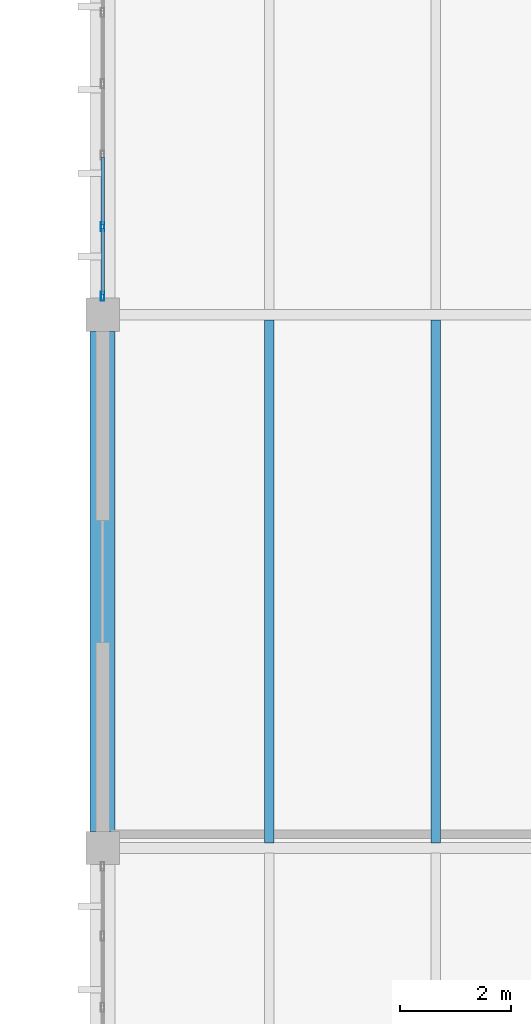
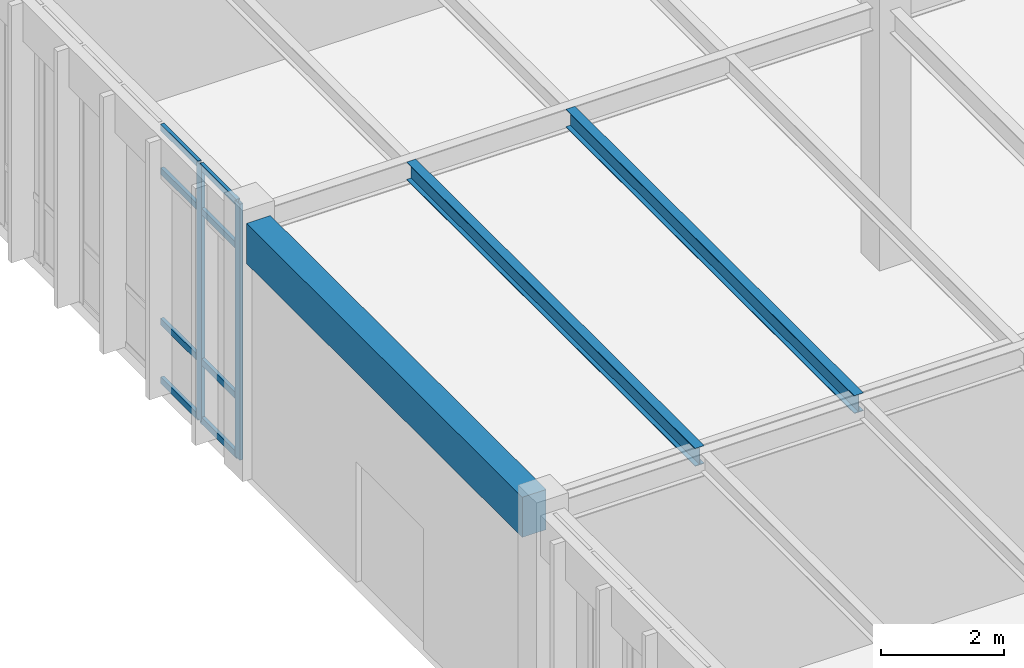
# One storey, part 92 of 188: 10 members, 3 beams, 1 element without a shape of its own.
"""IFC4 building model written with IfcOpenShell, lengths in metres."""

from ifc_helpers import new_model, si_unit, direction, frame, origin, origin_2d, place, context, subcontext, project, spatial, rectangle, hollow_rectangle, i_section, extrude, material, layer, layer_set, material_profile, profile_set, type_object, element, aggregate, save


model = new_model("IFC4")

# Units and contexts
model_context = context("Model", 3, precision=1e-05, world=origin(), true_north=direction((0.0, 1.0)))
body_context = subcontext(model_context, "Body", "Model", "MODEL_VIEW")
ifc_project = project(units=[si_unit("LENGTHUNIT", "METRE"), si_unit("AREAUNIT", "SQUARE_METRE"), si_unit("VOLUMEUNIT", "CUBIC_METRE"), si_unit("PLANEANGLEUNIT", "RADIAN"), si_unit("MASSUNIT", "GRAM", prefix="KILO")], contexts=[model_context])

# Site, building, storey
site_placement = place(None, origin())
site = spatial("IfcSite", under=ifc_project, at=site_placement, CompositionType="ELEMENT")
building_placement = place(site_placement, origin())
building = spatial("IfcBuilding", under=site, at=building_placement, Name="Pandanus Reach Market Hall", CompositionType="ELEMENT")
storey_placement = place(building_placement, origin())
storey = spatial("IfcBuildingStorey", under=building, at=storey_placement, Name="L00", CompositionType="ELEMENT", Elevation=0.0)

# Beam
ifc_material_1 = material(Name="Concrete N40 (40 MPa)", Category="concrete")
ifc_material_profile_1 = material_profile(ifc_material_1, rectangle(XDim=0.449951171875, YDim=0.800048828125, at=origin_2d()), Name="RC450x800", Category="LoadBearing")
ifc_profile_set_1 = profile_set([ifc_material_profile_1], Name="Concrete N40 (40 MPa)")
beam_type_1 = type_object("IfcBeamType", Name="BM-RC450-E", PredefinedType="SPANDREL", material=ifc_profile_set_1)
beam_placement = place(storey_placement, frame((144.0, 19.498046875, 4.72509765625), z_axis=(0.0, 1.0, 0.0), x_axis=(-1.0, 0.0, 0.0)))
element("IfcBeam", 1, at=beam_placement, inside=storey, type_object=beam_type_1, Name="Framing beam BM-RC450-E L00.190", PredefinedType="SPANDREL", context=body_context, shape_type="SweptSolid", body=[
    extrude(rectangle(XDim=0.449951171875, YDim=0.800048828125, at=origin_2d()), origin(), (0.0, 0.0, 1.0), 9.00390625),
])

# Curtain wall, members
ifc_material_2 = material(Name="Bronze anodised aluminium and low-E glass", Category="aluminium")
ifc_layer = layer(ifc_material_2, 0.159912109375, Name="CW-26")
ifc_layer_set = layer_set([ifc_layer], Name="Bronze anodised aluminium and low-E glass")
curtain_wall_type = type_object("IfcCurtainWallType", Name="CW-26", PredefinedType="NOTDEFINED", material=ifc_layer_set)
curtain_wall_placement = place(storey_placement, origin())
curtain_wall = element("IfcCurtainWall", 2, at=curtain_wall_placement, inside=storey, type_object=curtain_wall_type, Name="Glazed curtain wall CW-26 CW-0077", PredefinedType="NOTDEFINED")
ifc_material_3 = material(Name="Bronze anodised aluminium", Category="aluminium")
ifc_material_profile_2 = material_profile(ifc_material_3, hollow_rectangle(XDim=0.06494140625, YDim=0.159912109375, WallThickness=0.00390625, at=origin_2d()), Name="ALU65x160", Category="LoadBearing")
ifc_profile_set_2 = profile_set([ifc_material_profile_2], Name="Bronze anodised aluminium")
member_type_1 = type_object("IfcMemberType", Name="CW-M1", PredefinedType="MULLION", material=ifc_profile_set_2)
member_1_placement = place(storey_placement, frame((144.0, 29.132568359375, 0.0), z_axis=(0.0, 0.0, 1.0), x_axis=(-1.0, 0.0, 0.0)))
member_1 = element("IfcMember", 3, at=member_1_placement, type_object=member_type_1, Name="CW-26 mullion 1", PredefinedType="MULLION", context=body_context, shape_type="SweptSolid", body=[
    extrude(hollow_rectangle(XDim=0.06494140625, YDim=0.159912109375, WallThickness=0.00390625, at=origin_2d()), origin(), (0.0, 0.0, 1.0), 5.10009765625),
])
member_2_placement = place(storey_placement, frame((144.0, 30.3857421875, 0.0), z_axis=(0.0, 0.0, 1.0), x_axis=(-1.0, 0.0, 0.0)))
member_2 = element("IfcMember", 4, at=member_2_placement, type_object=member_type_1, Name="CW-26 mullion 2", PredefinedType="MULLION", context=body_context, shape_type="SweptSolid", body=[
    extrude(hollow_rectangle(XDim=0.06494140625, YDim=0.159912109375, WallThickness=0.00390625, at=origin_2d()), origin(), (0.0, 0.0, 1.0), 5.10009765625),
])
ifc_material_profile_3 = material_profile(ifc_material_3, hollow_rectangle(XDim=0.06494140625, YDim=0.1298828125, WallThickness=0.00390625, at=origin_2d()), Name="ALU65x130", Category="LoadBearing")
ifc_profile_set_3 = profile_set([ifc_material_profile_3], Name="Bronze anodised aluminium")
member_type_2 = type_object("IfcMemberType", Name="CW-T1", PredefinedType="USERDEFINED", material=ifc_profile_set_3)
member_3_placement = place(storey_placement, frame((144.0, 29.1650390625, 0.032470703125), z_axis=(0.0, 1.0, 0.0), x_axis=(-1.0, 0.0, 0.0)))
member_3 = element("IfcMember", 5, at=member_3_placement, type_object=member_type_2, Name="CW-26 transom 1.1", ObjectType="TRANSOM", PredefinedType="USERDEFINED", context=body_context, shape_type="SweptSolid", body=[
    extrude(hollow_rectangle(XDim=0.06494140625, YDim=0.1298828125, WallThickness=0.00390625, at=origin_2d()), origin(), (0.0, 0.0, 1.0), 1.188232421875),
])
member_4_placement = place(storey_placement, frame((144.0, 29.1650390625, 1.199951171875), z_axis=(0.0, 1.0, 0.0), x_axis=(-1.0, 0.0, 0.0)))
member_4 = element("IfcMember", 6, at=member_4_placement, type_object=member_type_2, Name="CW-26 transom 1.2", ObjectType="TRANSOM", PredefinedType="USERDEFINED", context=body_context, shape_type="SweptSolid", body=[
    extrude(hollow_rectangle(XDim=0.06494140625, YDim=0.1298828125, WallThickness=0.00390625, at=origin_2d()), origin(), (0.0, 0.0, 1.0), 1.188232421875),
])
member_5_placement = place(storey_placement, frame((144.0, 29.1650390625, 4.199951171875), z_axis=(0.0, 1.0, 0.0), x_axis=(-1.0, 0.0, 0.0)))
member_5 = element("IfcMember", 7, at=member_5_placement, type_object=member_type_2, Name="CW-26 transom 1.3", ObjectType="TRANSOM", PredefinedType="USERDEFINED", context=body_context, shape_type="SweptSolid", body=[
    extrude(hollow_rectangle(XDim=0.06494140625, YDim=0.1298828125, WallThickness=0.00390625, at=origin_2d()), origin(), (0.0, 0.0, 1.0), 1.188232421875),
])
member_6_placement = place(storey_placement, frame((144.0, 29.1650390625, 5.0673828125), z_axis=(0.0, 1.0, 0.0), x_axis=(-1.0, 0.0, 0.0)))
member_6 = element("IfcMember", 8, at=member_6_placement, type_object=member_type_2, Name="CW-26 transom 1.4", ObjectType="TRANSOM", PredefinedType="USERDEFINED", context=body_context, shape_type="SweptSolid", body=[
    extrude(hollow_rectangle(XDim=0.06494140625, YDim=0.1298828125, WallThickness=0.00390625, at=origin_2d()), origin(), (0.0, 0.0, 1.0), 1.188232421875),
])
member_7_placement = place(storey_placement, frame((144.0, 30.418212890625, 0.032470703125), z_axis=(0.0, 1.0, 0.0), x_axis=(-1.0, 0.0, 0.0)))
member_7 = element("IfcMember", 9, at=member_7_placement, type_object=member_type_2, Name="CW-26 transom 2.1", ObjectType="TRANSOM", PredefinedType="USERDEFINED", context=body_context, shape_type="SweptSolid", body=[
    extrude(hollow_rectangle(XDim=0.06494140625, YDim=0.1298828125, WallThickness=0.00390625, at=origin_2d()), origin(), (0.0, 0.0, 1.0), 1.220703125),
])
member_8_placement = place(storey_placement, frame((144.0, 30.418212890625, 1.199951171875), z_axis=(0.0, 1.0, 0.0), x_axis=(-1.0, 0.0, 0.0)))
member_8 = element("IfcMember", 10, at=member_8_placement, type_object=member_type_2, Name="CW-26 transom 2.2", ObjectType="TRANSOM", PredefinedType="USERDEFINED", context=body_context, shape_type="SweptSolid", body=[
    extrude(hollow_rectangle(XDim=0.06494140625, YDim=0.1298828125, WallThickness=0.00390625, at=origin_2d()), origin(), (0.0, 0.0, 1.0), 1.220703125),
])
member_9_placement = place(storey_placement, frame((144.0, 30.418212890625, 4.199951171875), z_axis=(0.0, 1.0, 0.0), x_axis=(-1.0, 0.0, 0.0)))
member_9 = element("IfcMember", 11, at=member_9_placement, type_object=member_type_2, Name="CW-26 transom 2.3", ObjectType="TRANSOM", PredefinedType="USERDEFINED", context=body_context, shape_type="SweptSolid", body=[
    extrude(hollow_rectangle(XDim=0.06494140625, YDim=0.1298828125, WallThickness=0.00390625, at=origin_2d()), origin(), (0.0, 0.0, 1.0), 1.220703125),
])
member_10_placement = place(storey_placement, frame((144.0, 30.418212890625, 5.0673828125), z_axis=(0.0, 1.0, 0.0), x_axis=(-1.0, 0.0, 0.0)))
member_10 = element("IfcMember", 12, at=member_10_placement, type_object=member_type_2, Name="CW-26 transom 2.4", ObjectType="TRANSOM", PredefinedType="USERDEFINED", context=body_context, shape_type="SweptSolid", body=[
    extrude(hollow_rectangle(XDim=0.06494140625, YDim=0.1298828125, WallThickness=0.00390625, at=origin_2d()), origin(), (0.0, 0.0, 1.0), 1.220703125),
])
aggregate(curtain_wall, [member_1, member_2, member_3, member_4, member_5, member_6, member_7, member_8, member_9, member_10])

# Beams
ifc_material_4 = material(Name="Steel Grade 350 (350 MPa)", Category="steel")
ifc_material_profile_4 = material_profile(ifc_material_4, i_section(OverallWidth=0.172119140625, OverallDepth=0.35888671875, WebThickness=0.008056640625, FlangeThickness=0.012939453125, at=origin_2d()), Name="360UB56.7", Category="LoadBearing")
ifc_profile_set_4 = profile_set([ifc_material_profile_4], Name="Steel Grade 350 (350 MPa)")
beam_type_2 = type_object("IfcBeamType", Name="JS-UB360H-I", PredefinedType="JOIST", material=ifc_profile_set_4)
for number, where, z_axis, x_axis, name in (
    (13, (147.0, 19.29345703125, 4.945068359375), (0.0, 1.0, 0.0), (-1.0, 0.0, 0.0), "Secondary joist JS-UB360H-I L00.234"),
    (14, (150.0, 19.29345703125, 4.945068359375), (0.0, 1.0, 0.0), (-1.0, 0.0, 0.0), "Secondary joist JS-UB360H-I L00.235"),
):
    element("IfcBeam", number, at=place(storey_placement, frame(where, z_axis=z_axis, x_axis=x_axis)), inside=storey, type_object=beam_type_2, Name=name, PredefinedType="JOIST", context=body_context, shape_type="SweptSolid", body=[
        extrude(i_section(OverallWidth=0.172119140625, OverallDepth=0.35888671875, WebThickness=0.008056640625, FlangeThickness=0.012939453125, at=origin_2d()), origin(), (0.0, 0.0, 1.0), 9.4130859375),
    ])

save(model, "model.ifc")
